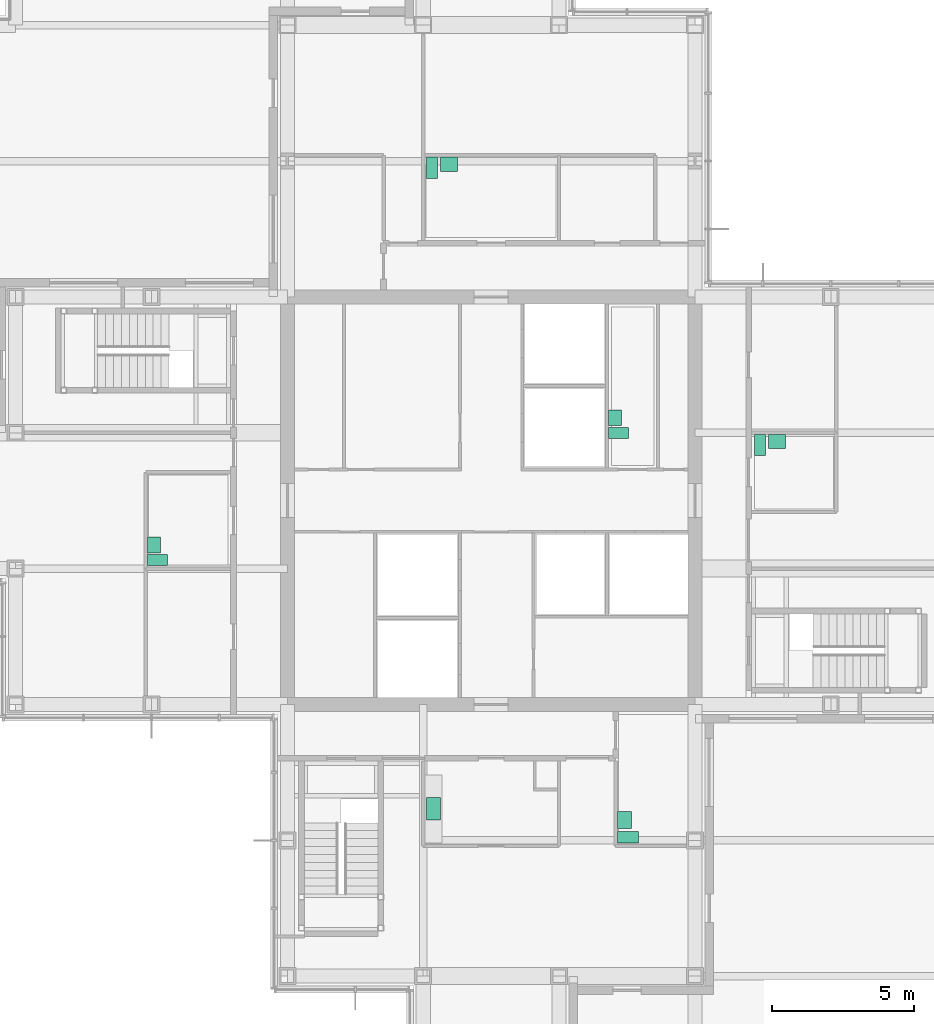
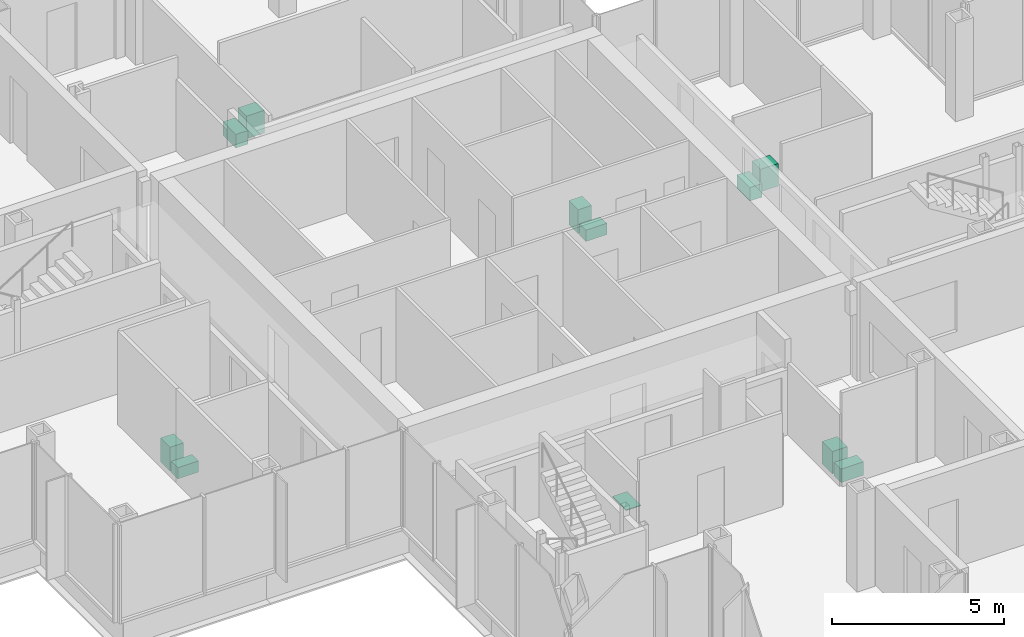
# One storey, part 16 of 17: 11 sanitary terminals.
"""IFC4 building model written with IfcOpenShell, lengths in metres."""

from ifc_helpers import new_model, si_unit, direction, frame, origin, origin_2d, place, context, subcontext, project, spatial, rectangle, extrude, material, type_object, element, save


model = new_model("IFC4")

# Units and contexts
model_context = context("Model", 3, precision=1e-05, world=origin(), true_north=direction((0.0, 1.0)))
body_context = subcontext(model_context, "Body", "Model", "MODEL_VIEW")
ifc_project = project(units=[si_unit("LENGTHUNIT", "METRE"), si_unit("AREAUNIT", "SQUARE_METRE"), si_unit("VOLUMEUNIT", "CUBIC_METRE"), si_unit("PLANEANGLEUNIT", "RADIAN"), si_unit("MASSUNIT", "GRAM", prefix="KILO")], contexts=[model_context])

# Site, building, storey
site_placement = place(None, origin())
site = spatial("IfcSite", under=ifc_project, at=site_placement, CompositionType="ELEMENT")
building_placement = place(site_placement, origin())
building = spatial("IfcBuilding", under=site, at=building_placement, Name="Kvirike Care Tower", CompositionType="ELEMENT")
storey_placement = place(building_placement, frame((0.0, 0.0, 141.0)))
storey = spatial("IfcBuildingStorey", under=building, at=storey_placement, Name="L38", CompositionType="ELEMENT", Elevation=141.0)

# Sanitary terminals
ifc_material_1 = material(Name="Vitreous china", Category="ceramic")
sanitary_terminal_type_1 = type_object("IfcSanitaryTerminalType", Name="ACCESSIBLE WASH BASIN 600 x 500", PredefinedType="WASHHANDBASIN", material=ifc_material_1)
for number, where, z_axis, x_axis, name in (
    (1, (26.31201171875, 24.7099609375, 0.02001953125), (0.0, 0.0, 1.0), (0.0, 1.0, 0.0), "Accessible wash basin L38-012"),
    (2, (20.110107421875, 47.887939453125, 0.02001953125), (0.0, 0.0, 1.0), (1.0, 0.0, 0.0), "Accessible wash basin L38-017"),
    (3, (31.699951171875, 38.087890625, 0.02001953125), (0.0, 0.0, 1.0), (1.0, 0.0, 0.0), "Accessible wash basin L38-023"),
):
    element("IfcSanitaryTerminal", number, at=place(storey_placement, frame(where, z_axis=z_axis, x_axis=x_axis)), inside=storey, type_object=sanitary_terminal_type_1, Name=name, PredefinedType="WASHHANDBASIN", context=body_context, shape_type="SweptSolid", body=[
        extrude(rectangle(XDim=0.60009765625, YDim=0.5, at=origin_2d()), origin(), (0.0, 0.0, 1.0), 0.800048828125),
    ])
ifc_material_2 = material(Name="Vitreous china", Category="ceramic")
sanitary_terminal_type_2 = type_object("IfcSanitaryTerminalType", Name="ACCESSIBLE WC PAN 400 x 750", PredefinedType="TOILETPAN", material=ifc_material_2)
for number, where, z_axis, x_axis, name in (
    (4, (26.43701171875, 24.110107421875, 0.02001953125), (0.0, 0.0, 1.0), (0.0, 1.0, 0.0), "Accessible WC pan L38-012"),
    (5, (19.510009765625, 47.762939453125, 0.02001953125), (0.0, 0.0, 1.0), (1.0, 0.0, 0.0), "Accessible WC pan L38-017"),
    (6, (31.10009765625, 37.962890625, 0.02001953125), (0.0, 0.0, 1.0), (1.0, 0.0, 0.0), "Accessible WC pan L38-023"),
):
    element("IfcSanitaryTerminal", number, at=place(storey_placement, frame(where, z_axis=z_axis, x_axis=x_axis)), inside=storey, type_object=sanitary_terminal_type_2, Name=name, PredefinedType="TOILETPAN", context=body_context, shape_type="SweptSolid", body=[
        extrude(rectangle(XDim=0.39990234375, YDim=0.75, at=origin_2d()), origin(), (0.0, 0.0, 1.0), 0.47998046875),
    ])
ifc_material_3 = material(Name="Stainless steel", Category="steel")
sanitary_terminal_type_3 = type_object("IfcSanitaryTerminalType", Name="KITCHEN SINK 800 x 500", PredefinedType="SINK", material=ifc_material_3)
sanitary_terminal_placement = place(storey_placement, frame((19.56201171875, 25.110107421875, 0.89990234375), z_axis=(0.0, 0.0, 1.0), x_axis=(0.0, 1.0, 0.0)))
element("IfcSanitaryTerminal", 7, at=sanitary_terminal_placement, inside=storey, type_object=sanitary_terminal_type_3, Name="Kitchen sink L38-011", PredefinedType="SINK", context=body_context, shape_type="SweptSolid", body=[
    extrude(rectangle(XDim=0.800048828125, YDim=0.5, at=origin_2d()), origin(), (0.0, 0.0, 1.0), 0.030029296875),
])
ifc_material_4 = material(Name="Vitreous china", Category="ceramic")
sanitary_terminal_type_4 = type_object("IfcSanitaryTerminalType", Name="WASH BASIN 550 x 450", PredefinedType="WASHHANDBASIN", material=ifc_material_4)
for number, where, z_axis, x_axis, name in (
    (8, (9.68701171875, 34.43505859375, 0.02001953125), (0.0, 0.0, 1.0), (0.0, 1.0, 0.0), "Wash basin L38-005"),
    (9, (25.97705078125, 38.925048828125, 0.02001953125), (0.0, 0.0, 1.0), (0.0, 1.0, 0.0), "Wash basin L38-033"),
):
    element("IfcSanitaryTerminal", number, at=place(storey_placement, frame(where, z_axis=z_axis, x_axis=x_axis)), inside=storey, type_object=sanitary_terminal_type_4, Name=name, PredefinedType="WASHHANDBASIN", context=body_context, shape_type="SweptSolid", body=[
        extrude(rectangle(XDim=0.550048828125, YDim=0.449951171875, at=origin_2d()), origin(), (0.0, 0.0, 1.0), 0.85009765625),
    ])
ifc_material_5 = material(Name="Vitreous china", Category="ceramic")
sanitary_terminal_type_5 = type_object("IfcSanitaryTerminalType", Name="WC PAN 380 x 700", PredefinedType="TOILETPAN", material=ifc_material_5)
for number, where, z_axis, x_axis, name in (
    (10, (9.81201171875, 33.89990234375, 0.02001953125), (0.0, 0.0, 1.0), (0.0, 1.0, 0.0), "WC pan L38-005"),
    (11, (26.10205078125, 38.389892578125, 0.02001953125), (0.0, 0.0, 1.0), (0.0, 1.0, 0.0), "WC pan L38-033"),
):
    element("IfcSanitaryTerminal", number, at=place(storey_placement, frame(where, z_axis=z_axis, x_axis=x_axis)), inside=storey, type_object=sanitary_terminal_type_5, Name=name, PredefinedType="TOILETPAN", context=body_context, shape_type="SweptSolid", body=[
        extrude(rectangle(XDim=0.3798828125, YDim=0.699951171875, at=origin_2d()), origin(), (0.0, 0.0, 1.0), 0.39990234375),
    ])

save(model, "model.ifc")
